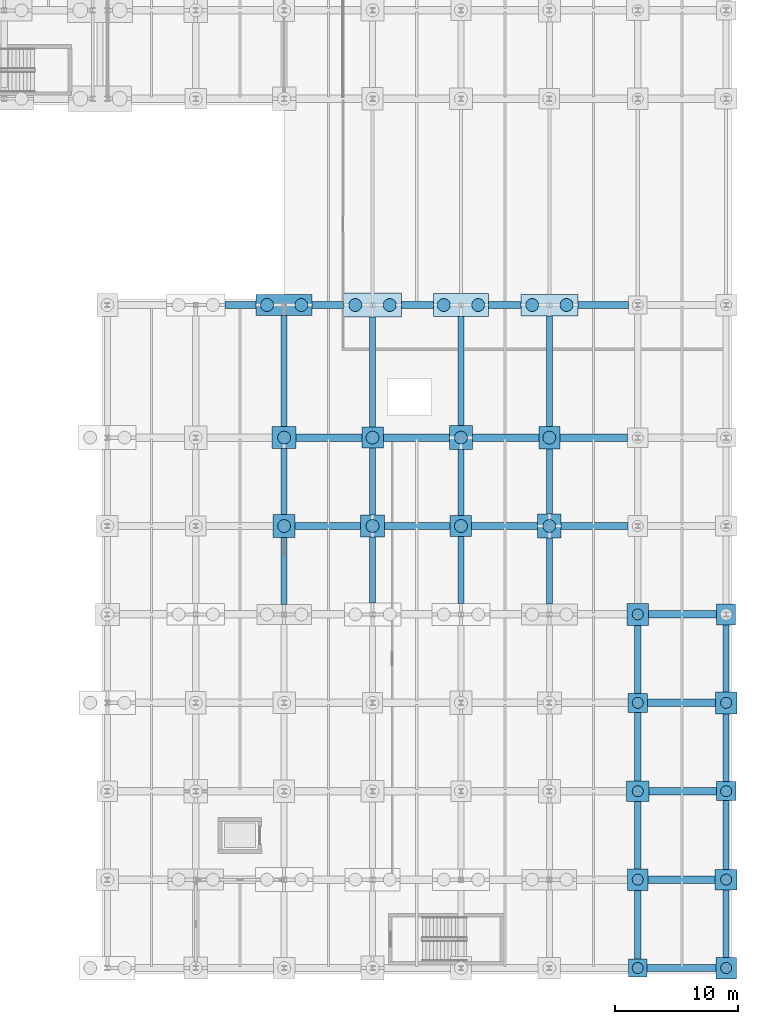
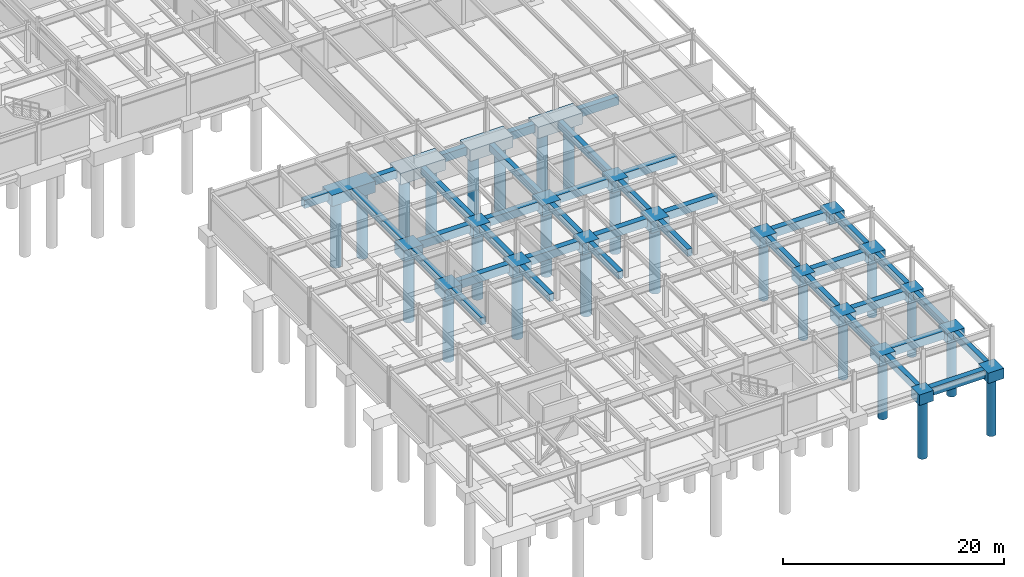
# One storey, part 10 of 54: 60 footings, 25 piles.
"""IFC4 building model written with IfcOpenShell, lengths in metres."""

from ifc_helpers import new_model, si_unit, direction, frame, origin, origin_2d, place, context, subcontext, project, spatial, polyline, rectangle, circle, outline, extrude, material, material_profile, profile_set, type_object, element, save


model = new_model("IFC4")

# Units and contexts
model_context = context("Model", 3, precision=1e-05, world=origin(), true_north=direction((0.0, 1.0)))
body_context = subcontext(model_context, "Body", "Model", "MODEL_VIEW")
ifc_project = project(units=[si_unit("LENGTHUNIT", "METRE"), si_unit("AREAUNIT", "SQUARE_METRE"), si_unit("VOLUMEUNIT", "CUBIC_METRE"), si_unit("PLANEANGLEUNIT", "RADIAN"), si_unit("MASSUNIT", "GRAM", prefix="KILO")], contexts=[model_context])

# Site, building, storey
site_placement = place(None, origin())
site = spatial("IfcSite", under=ifc_project, at=site_placement, CompositionType="ELEMENT")
building_placement = place(site_placement, origin())
building = spatial("IfcBuilding", under=site, at=building_placement, Name="Vaelcorin Mobility Hub", CompositionType="ELEMENT")
storey_placement = place(building_placement, frame((0.0, 0.0, -4.5)))
storey = spatial("IfcBuildingStorey", under=building, at=storey_placement, Name="B1", CompositionType="ELEMENT", Elevation=-4.5)

# Footings
ifc_material = material(Name="Concrete f'c 40 MPa", Category="concrete")
footing_type_1 = type_object("IfcFootingType", Name="FB-500X800", PredefinedType="FOOTING_BEAM", material=ifc_material)
footing_1_placement = place(storey_placement, frame((0.0, 0.0, -0.800048828125)))
element("IfcFooting", 1, at=footing_1_placement, inside=storey, type_object=footing_type_1, Name="Foundation Tie Beam FB-Y-399", PredefinedType="FOOTING_BEAM", context=body_context, shape_type="SweptSolid", body=[
    extrude(outline(polyline([(167.75, 35.625), (168.25, 35.625), (168.25, 41.050048828125), (167.75, 41.050048828125), (167.75, 35.625)])), origin(), (0.0, 0.0, 1.0), 0.800048828125),
])
footing_2_placement = place(storey_placement, frame((0.0, 0.0, -0.800048828125)))
element("IfcFooting", 2, at=footing_2_placement, inside=storey, type_object=footing_type_1, Name="Foundation Tie Beam FB-Y-400", PredefinedType="FOOTING_BEAM", context=body_context, shape_type="SweptSolid", body=[
    extrude(outline(polyline([(167.75, 42.949951171875), (168.25, 42.949951171875), (168.25, 48.300048828125), (167.75, 48.300048828125), (167.75, 42.949951171875)])), origin(), (0.0, 0.0, 1.0), 0.800048828125),
])
footing_3_placement = place(storey_placement, frame((0.0, 0.0, -0.800048828125)))
element("IfcFooting", 3, at=footing_3_placement, inside=storey, type_object=footing_type_1, Name="Foundation Tie Beam FB-Y-401", PredefinedType="FOOTING_BEAM", context=body_context, shape_type="SweptSolid", body=[
    extrude(outline(polyline([(167.75, 50.10009765625), (168.25, 50.10009765625), (168.25, 59.14990234375), (167.75, 59.14990234375), (167.75, 50.10009765625)])), origin(), (0.0, 0.0, 1.0), 0.800048828125),
])
footing_4_placement = place(storey_placement, frame((0.0, 0.0, -0.800048828125)))
element("IfcFooting", 4, at=footing_4_placement, inside=storey, type_object=footing_type_1, Name="Foundation Tie Beam FB-Y-412", PredefinedType="FOOTING_BEAM", context=body_context, shape_type="SweptSolid", body=[
    extrude(outline(polyline([(174.949951171875, 35.75), (175.449951171875, 35.75), (175.449951171875, 41.10009765625), (174.949951171875, 41.10009765625), (174.949951171875, 35.75)])), origin(), (0.0, 0.0, 1.0), 0.800048828125),
])
footing_5_placement = place(storey_placement, frame((0.0, 0.0, -0.800048828125)))
element("IfcFooting", 5, at=footing_5_placement, inside=storey, type_object=footing_type_1, Name="Foundation Tie Beam FB-Y-413", PredefinedType="FOOTING_BEAM", context=body_context, shape_type="SweptSolid", body=[
    extrude(outline(polyline([(174.949951171875, 42.89990234375), (175.449951171875, 42.89990234375), (175.449951171875, 48.35009765625), (174.949951171875, 48.35009765625), (174.949951171875, 42.89990234375)])), origin(), (0.0, 0.0, 1.0), 0.800048828125),
])
footing_6_placement = place(storey_placement, frame((0.0, 0.0, -0.800048828125)))
element("IfcFooting", 6, at=footing_6_placement, inside=storey, type_object=footing_type_1, Name="Foundation Tie Beam FB-Y-414", PredefinedType="FOOTING_BEAM", context=body_context, shape_type="SweptSolid", body=[
    extrude(outline(polyline([(174.949951171875, 50.050048828125), (175.449951171875, 50.050048828125), (175.449951171875, 59.02490234375), (174.949951171875, 59.02490234375), (174.949951171875, 50.050048828125)])), origin(), (0.0, 0.0, 1.0), 0.800048828125),
])
footing_7_placement = place(storey_placement, frame((0.0, 0.0, -0.800048828125)))
element("IfcFooting", 7, at=footing_7_placement, inside=storey, type_object=footing_type_1, Name="Foundation Tie Beam FB-Y-425", PredefinedType="FOOTING_BEAM", context=body_context, shape_type="SweptSolid", body=[
    extrude(outline(polyline([(182.14990234375, 35.699951171875), (182.64990234375, 35.699951171875), (182.64990234375, 41.14990234375), (182.14990234375, 41.14990234375), (182.14990234375, 35.699951171875)])), origin(), (0.0, 0.0, 1.0), 0.800048828125),
])
footing_8_placement = place(storey_placement, frame((0.0, 0.0, -0.800048828125)))
element("IfcFooting", 8, at=footing_8_placement, inside=storey, type_object=footing_type_1, Name="Foundation Tie Beam FB-Y-426", PredefinedType="FOOTING_BEAM", context=body_context, shape_type="SweptSolid", body=[
    extrude(outline(polyline([(182.14990234375, 42.85009765625), (182.64990234375, 42.85009765625), (182.64990234375, 48.22509765625), (182.14990234375, 48.22509765625), (182.14990234375, 42.85009765625)])), origin(), (0.0, 0.0, 1.0), 0.800048828125),
])
footing_9_placement = place(storey_placement, frame((0.0, 0.0, -0.800048828125)))
element("IfcFooting", 9, at=footing_9_placement, inside=storey, type_object=footing_type_1, Name="Foundation Tie Beam FB-Y-427", PredefinedType="FOOTING_BEAM", context=body_context, shape_type="SweptSolid", body=[
    extrude(outline(polyline([(182.14990234375, 50.175048828125), (182.64990234375, 50.175048828125), (182.64990234375, 59.074951171875), (182.14990234375, 59.074951171875), (182.14990234375, 50.175048828125)])), origin(), (0.0, 0.0, 1.0), 0.800048828125),
])
footing_10_placement = place(storey_placement, frame((0.0, 0.0, -0.800048828125)))
element("IfcFooting", 10, at=footing_10_placement, inside=storey, type_object=footing_type_1, Name="Foundation Tie Beam FB-Y-438", PredefinedType="FOOTING_BEAM", context=body_context, shape_type="SweptSolid", body=[
    extrude(outline(polyline([(189.35009765625, 35.64990234375), (189.85009765625, 35.64990234375), (189.85009765625, 41.02490234375), (189.35009765625, 41.02490234375), (189.35009765625, 35.64990234375)])), origin(), (0.0, 0.0, 1.0), 0.800048828125),
])
footing_11_placement = place(storey_placement, frame((0.0, 0.0, -0.800048828125)))
element("IfcFooting", 11, at=footing_11_placement, inside=storey, type_object=footing_type_1, Name="Foundation Tie Beam FB-Y-439", PredefinedType="FOOTING_BEAM", context=body_context, shape_type="SweptSolid", body=[
    extrude(outline(polyline([(189.35009765625, 42.97509765625), (189.85009765625, 42.97509765625), (189.85009765625, 48.27490234375), (189.35009765625, 48.27490234375), (189.35009765625, 42.97509765625)])), origin(), (0.0, 0.0, 1.0), 0.800048828125),
])
footing_12_placement = place(storey_placement, frame((0.0, 0.0, -0.800048828125)))
element("IfcFooting", 12, at=footing_12_placement, inside=storey, type_object=footing_type_1, Name="Foundation Tie Beam FB-Y-440", PredefinedType="FOOTING_BEAM", context=body_context, shape_type="SweptSolid", body=[
    extrude(outline(polyline([(189.35009765625, 50.125), (189.85009765625, 50.125), (189.85009765625, 59.125), (189.35009765625, 59.125), (189.35009765625, 50.125)])), origin(), (0.0, 0.0, 1.0), 0.800048828125),
])
footing_13_placement = place(storey_placement, frame((0.0, 0.0, -0.800048828125)))
element("IfcFooting", 13, at=footing_13_placement, inside=storey, type_object=footing_type_1, Name="Foundation Tie Beam FB-Y-447", PredefinedType="FOOTING_BEAM", context=body_context, shape_type="SweptSolid", body=[
    extrude(outline(polyline([(196.550048828125, 6.75), (197.050048828125, 6.75), (197.050048828125, 12.324951171875), (196.550048828125, 12.324951171875), (196.550048828125, 6.75)])), origin(), (0.0, 0.0, 1.0), 0.800048828125),
])
footing_14_placement = place(storey_placement, frame((0.0, 0.0, -0.800048828125)))
element("IfcFooting", 14, at=footing_14_placement, inside=storey, type_object=footing_type_1, Name="Foundation Tie Beam FB-Y-448", PredefinedType="FOOTING_BEAM", context=body_context, shape_type="SweptSolid", body=[
    extrude(outline(polyline([(196.550048828125, 14.074951171875), (197.050048828125, 14.074951171875), (197.050048828125, 19.574951171875), (196.550048828125, 19.574951171875), (196.550048828125, 14.074951171875)])), origin(), (0.0, 0.0, 1.0), 0.800048828125),
])
footing_15_placement = place(storey_placement, frame((0.0, 0.0, -0.800048828125)))
element("IfcFooting", 15, at=footing_15_placement, inside=storey, type_object=footing_type_1, Name="Foundation Tie Beam FB-Y-449", PredefinedType="FOOTING_BEAM", context=body_context, shape_type="SweptSolid", body=[
    extrude(outline(polyline([(196.550048828125, 21.22509765625), (197.050048828125, 21.22509765625), (197.050048828125, 26.824951171875), (196.550048828125, 26.824951171875), (196.550048828125, 21.22509765625)])), origin(), (0.0, 0.0, 1.0), 0.800048828125),
])
footing_16_placement = place(storey_placement, frame((0.0, 0.0, -0.800048828125)))
element("IfcFooting", 16, at=footing_16_placement, inside=storey, type_object=footing_type_1, Name="Foundation Tie Beam FB-Y-450", PredefinedType="FOOTING_BEAM", context=body_context, shape_type="SweptSolid", body=[
    extrude(outline(polyline([(196.550048828125, 28.375), (197.050048828125, 28.375), (197.050048828125, 33.89990234375), (196.550048828125, 33.89990234375), (196.550048828125, 28.375)])), origin(), (0.0, 0.0, 1.0), 0.800048828125),
])
footing_17_placement = place(storey_placement, frame((0.0, 0.0, -0.800048828125)))
element("IfcFooting", 17, at=footing_17_placement, inside=storey, type_object=footing_type_1, Name="Foundation Tie Beam FB-Y-460", PredefinedType="FOOTING_BEAM", context=body_context, shape_type="SweptSolid", body=[
    extrude(outline(polyline([(203.75, 6.875), (204.25, 6.875), (204.25, 12.375), (203.75, 12.375), (203.75, 6.875)])), origin(), (0.0, 0.0, 1.0), 0.800048828125),
])
footing_18_placement = place(storey_placement, frame((0.0, 0.0, -0.800048828125)))
element("IfcFooting", 18, at=footing_18_placement, inside=storey, type_object=footing_type_1, Name="Foundation Tie Beam FB-Y-461", PredefinedType="FOOTING_BEAM", context=body_context, shape_type="SweptSolid", body=[
    extrude(outline(polyline([(203.75, 14.02490234375), (204.25, 14.02490234375), (204.25, 19.625), (203.75, 19.625), (203.75, 14.02490234375)])), origin(), (0.0, 0.0, 1.0), 0.800048828125),
])
footing_19_placement = place(storey_placement, frame((0.0, 0.0, -0.800048828125)))
element("IfcFooting", 19, at=footing_19_placement, inside=storey, type_object=footing_type_1, Name="Foundation Tie Beam FB-Y-462", PredefinedType="FOOTING_BEAM", context=body_context, shape_type="SweptSolid", body=[
    extrude(outline(polyline([(203.75, 21.175048828125), (204.25, 21.175048828125), (204.25, 26.699951171875), (203.75, 26.699951171875), (203.75, 21.175048828125)])), origin(), (0.0, 0.0, 1.0), 0.800048828125),
])
footing_20_placement = place(storey_placement, frame((0.0, 0.0, -0.800048828125)))
element("IfcFooting", 20, at=footing_20_placement, inside=storey, type_object=footing_type_1, Name="Foundation Tie Beam FB-Y-463", PredefinedType="FOOTING_BEAM", context=body_context, shape_type="SweptSolid", body=[
    extrude(outline(polyline([(203.75, 28.5), (204.25, 28.5), (204.25, 33.949951171875), (203.75, 33.949951171875), (203.75, 28.5)])), origin(), (0.0, 0.0, 1.0), 0.800048828125),
])
footing_type_2 = type_object("IfcFootingType", Name="FB-600X900", PredefinedType="FOOTING_BEAM", material=ifc_material)
footing_21_placement = place(storey_placement, frame((0.0, 0.0, -0.89990234375)))
element("IfcFooting", 21, at=footing_21_placement, inside=storey, type_object=footing_type_2, Name="Foundation Tie Beam FB-X-180", PredefinedType="FOOTING_BEAM", context=body_context, shape_type="SweptSolid", body=[
    extrude(outline(polyline([(197.550048828125, 5.699951171875), (203.175048828125, 5.699951171875), (203.175048828125, 6.300048828125), (197.550048828125, 6.300048828125), (197.550048828125, 5.699951171875)])), origin(), (0.0, 0.0, 1.0), 0.89990234375),
])
footing_22_placement = place(storey_placement, frame((0.0, 0.0, -0.89990234375)))
element("IfcFooting", 22, at=footing_22_placement, inside=storey, type_object=footing_type_2, Name="Foundation Tie Beam FB-X-202", PredefinedType="FOOTING_BEAM", context=body_context, shape_type="SweptSolid", body=[
    extrude(outline(polyline([(163.175048828125, 59.699951171875), (165.72509765625, 59.699951171875), (165.72509765625, 60.300048828125), (163.175048828125, 60.300048828125), (163.175048828125, 59.699951171875)])), origin(), (0.0, 0.0, 1.0), 0.89990234375),
])
footing_23_placement = place(storey_placement, frame((0.0, 0.0, -0.89990234375)))
element("IfcFooting", 23, at=footing_23_placement, inside=storey, type_object=footing_type_2, Name="Foundation Tie Beam FB-X-203", PredefinedType="FOOTING_BEAM", context=body_context, shape_type="SweptSolid", body=[
    extrude(outline(polyline([(170.27490234375, 59.699951171875), (172.85009765625, 59.699951171875), (172.85009765625, 60.300048828125), (170.27490234375, 60.300048828125), (170.27490234375, 59.699951171875)])), origin(), (0.0, 0.0, 1.0), 0.89990234375),
])
footing_24_placement = place(storey_placement, frame((0.0, 0.0, -0.89990234375)))
element("IfcFooting", 24, at=footing_24_placement, inside=storey, type_object=footing_type_2, Name="Foundation Tie Beam FB-X-204", PredefinedType="FOOTING_BEAM", context=body_context, shape_type="SweptSolid", body=[
    extrude(outline(polyline([(177.550048828125, 59.699951171875), (180.14990234375, 59.699951171875), (180.14990234375, 60.300048828125), (177.550048828125, 60.300048828125), (177.550048828125, 59.699951171875)])), origin(), (0.0, 0.0, 1.0), 0.89990234375),
])
footing_25_placement = place(storey_placement, frame((0.0, 0.0, -0.89990234375)))
element("IfcFooting", 25, at=footing_25_placement, inside=storey, type_object=footing_type_2, Name="Foundation Tie Beam FB-X-205", PredefinedType="FOOTING_BEAM", context=body_context, shape_type="SweptSolid", body=[
    extrude(outline(polyline([(184.64990234375, 59.699951171875), (187.27490234375, 59.699951171875), (187.27490234375, 60.300048828125), (184.64990234375, 60.300048828125), (184.64990234375, 59.699951171875)])), origin(), (0.0, 0.0, 1.0), 0.89990234375),
])
footing_26_placement = place(storey_placement, frame((0.0, 0.0, -0.89990234375)))
element("IfcFooting", 26, at=footing_26_placement, inside=storey, type_object=footing_type_2, Name="Foundation Tie Beam FB-X-206", PredefinedType="FOOTING_BEAM", context=body_context, shape_type="SweptSolid", body=[
    extrude(outline(polyline([(191.925048828125, 59.699951171875), (196.050048828125, 59.699951171875), (196.050048828125, 60.300048828125), (191.925048828125, 60.300048828125), (191.925048828125, 59.699951171875)])), origin(), (0.0, 0.0, 1.0), 0.89990234375),
])
footing_27_placement = place(storey_placement, frame((0.0, 0.0, -0.89990234375)))
element("IfcFooting", 27, at=footing_27_placement, inside=storey, type_object=footing_type_2, Name="Foundation Tie Beam FB-X-214", PredefinedType="FOOTING_BEAM", context=body_context, shape_type="SweptSolid", body=[
    extrude(outline(polyline([(197.625, 12.89990234375), (203.10009765625, 12.89990234375), (203.10009765625, 13.5), (197.625, 13.5), (197.625, 12.89990234375)])), origin(), (0.0, 0.0, 1.0), 0.89990234375),
])
footing_28_placement = place(storey_placement, frame((0.0, 0.0, -0.89990234375)))
element("IfcFooting", 28, at=footing_28_placement, inside=storey, type_object=footing_type_2, Name="Foundation Tie Beam FB-X-221", PredefinedType="FOOTING_BEAM", context=body_context, shape_type="SweptSolid", body=[
    extrude(outline(polyline([(197.699951171875, 20.10009765625), (203.199951171875, 20.10009765625), (203.199951171875, 20.699951171875), (197.699951171875, 20.699951171875), (197.699951171875, 20.10009765625)])), origin(), (0.0, 0.0, 1.0), 0.89990234375),
])
footing_29_placement = place(storey_placement, frame((0.0, 0.0, -0.89990234375)))
element("IfcFooting", 29, at=footing_29_placement, inside=storey, type_object=footing_type_2, Name="Foundation Tie Beam FB-X-228", PredefinedType="FOOTING_BEAM", context=body_context, shape_type="SweptSolid", body=[
    extrude(outline(polyline([(197.60009765625, 27.300048828125), (203.125, 27.300048828125), (203.125, 27.89990234375), (197.60009765625, 27.89990234375), (197.60009765625, 27.300048828125)])), origin(), (0.0, 0.0, 1.0), 0.89990234375),
])
footing_30_placement = place(storey_placement, frame((0.0, 0.0, -0.89990234375)))
element("IfcFooting", 30, at=footing_30_placement, inside=storey, type_object=footing_type_2, Name="Foundation Tie Beam FB-X-235", PredefinedType="FOOTING_BEAM", context=body_context, shape_type="SweptSolid", body=[
    extrude(outline(polyline([(197.675048828125, 34.5), (203.22509765625, 34.5), (203.22509765625, 35.10009765625), (197.675048828125, 35.10009765625), (197.675048828125, 34.5)])), origin(), (0.0, 0.0, 1.0), 0.89990234375),
])
footing_31_placement = place(storey_placement, frame((0.0, 0.0, -0.89990234375)))
element("IfcFooting", 31, at=footing_31_placement, inside=storey, type_object=footing_type_2, Name="Foundation Tie Beam FB-X-238", PredefinedType="FOOTING_BEAM", context=body_context, shape_type="SweptSolid", body=[
    extrude(outline(polyline([(168.89990234375, 41.699951171875), (174.22509765625, 41.699951171875), (174.22509765625, 42.300048828125), (168.89990234375, 42.300048828125), (168.89990234375, 41.699951171875)])), origin(), (0.0, 0.0, 1.0), 0.89990234375),
])
footing_32_placement = place(storey_placement, frame((0.0, 0.0, -0.89990234375)))
element("IfcFooting", 32, at=footing_32_placement, inside=storey, type_object=footing_type_2, Name="Foundation Tie Beam FB-X-239", PredefinedType="FOOTING_BEAM", context=body_context, shape_type="SweptSolid", body=[
    extrude(outline(polyline([(176.175048828125, 41.699951171875), (181.52490234375, 41.699951171875), (181.52490234375, 42.300048828125), (176.175048828125, 42.300048828125), (176.175048828125, 41.699951171875)])), origin(), (0.0, 0.0, 1.0), 0.89990234375),
])
footing_33_placement = place(storey_placement, frame((0.0, 0.0, -0.89990234375)))
element("IfcFooting", 33, at=footing_33_placement, inside=storey, type_object=footing_type_2, Name="Foundation Tie Beam FB-X-240", PredefinedType="FOOTING_BEAM", context=body_context, shape_type="SweptSolid", body=[
    extrude(outline(polyline([(183.27490234375, 41.699951171875), (188.64990234375, 41.699951171875), (188.64990234375, 42.300048828125), (183.27490234375, 42.300048828125), (183.27490234375, 41.699951171875)])), origin(), (0.0, 0.0, 1.0), 0.89990234375),
])
footing_34_placement = place(storey_placement, frame((0.0, 0.0, -0.89990234375)))
element("IfcFooting", 34, at=footing_34_placement, inside=storey, type_object=footing_type_2, Name="Foundation Tie Beam FB-X-241", PredefinedType="FOOTING_BEAM", context=body_context, shape_type="SweptSolid", body=[
    extrude(outline(polyline([(190.550048828125, 41.699951171875), (196.02490234375, 41.699951171875), (196.02490234375, 42.300048828125), (190.550048828125, 42.300048828125), (190.550048828125, 41.699951171875)])), origin(), (0.0, 0.0, 1.0), 0.89990234375),
])
footing_35_placement = place(storey_placement, frame((0.0, 0.0, -0.89990234375)))
element("IfcFooting", 35, at=footing_35_placement, inside=storey, type_object=footing_type_2, Name="Foundation Tie Beam FB-X-245", PredefinedType="FOOTING_BEAM", context=body_context, shape_type="SweptSolid", body=[
    extrude(outline(polyline([(168.97509765625, 48.89990234375), (174.324951171875, 48.89990234375), (174.324951171875, 49.5), (168.97509765625, 49.5), (168.97509765625, 48.89990234375)])), origin(), (0.0, 0.0, 1.0), 0.89990234375),
])
footing_36_placement = place(storey_placement, frame((0.0, 0.0, -0.89990234375)))
element("IfcFooting", 36, at=footing_36_placement, inside=storey, type_object=footing_type_2, Name="Foundation Tie Beam FB-X-246", PredefinedType="FOOTING_BEAM", context=body_context, shape_type="SweptSolid", body=[
    extrude(outline(polyline([(176.074951171875, 48.89990234375), (181.449951171875, 48.89990234375), (181.449951171875, 49.5), (176.074951171875, 49.5), (176.074951171875, 48.89990234375)])), origin(), (0.0, 0.0, 1.0), 0.89990234375),
])
footing_37_placement = place(storey_placement, frame((0.0, 0.0, -0.89990234375)))
element("IfcFooting", 37, at=footing_37_placement, inside=storey, type_object=footing_type_2, Name="Foundation Tie Beam FB-X-247", PredefinedType="FOOTING_BEAM", context=body_context, shape_type="SweptSolid", body=[
    extrude(outline(polyline([(183.35009765625, 48.89990234375), (188.75, 48.89990234375), (188.75, 49.5), (183.35009765625, 49.5), (183.35009765625, 48.89990234375)])), origin(), (0.0, 0.0, 1.0), 0.89990234375),
])
footing_38_placement = place(storey_placement, frame((0.0, 0.0, -0.89990234375)))
element("IfcFooting", 38, at=footing_38_placement, inside=storey, type_object=footing_type_2, Name="Foundation Tie Beam FB-X-248", PredefinedType="FOOTING_BEAM", context=body_context, shape_type="SweptSolid", body=[
    extrude(outline(polyline([(190.449951171875, 48.89990234375), (195.949951171875, 48.89990234375), (195.949951171875, 49.5), (190.449951171875, 49.5), (190.449951171875, 48.89990234375)])), origin(), (0.0, 0.0, 1.0), 0.89990234375),
])
footing_type_3 = type_object("IfcFootingType", Name="FTG-PC-15", PredefinedType="PILE_CAP", material=ifc_material)
for number, where, z_axis, x_axis, name in (
    (39, (196.800048828125, 34.800048828125, -1.14990234375), (0.0, 0.0, 1.0), (1.0, 0.0, 0.0), "Pile Cap PC-15 249"),
    (40, (204.0, 27.60009765625, -1.14990234375), (0.0, 0.0, 1.0), (1.0, 0.0, 0.0), "Pile Cap PC-15 263"),
):
    element("IfcFooting", number, at=place(storey_placement, frame(where, z_axis=z_axis, x_axis=x_axis)), inside=storey, type_object=footing_type_3, Name=name, PredefinedType="PILE_CAP", context=body_context, shape_type="SweptSolid", body=[
        extrude(rectangle(XDim=1.75, YDim=1.800048828125, at=origin_2d()), origin(), (0.0, 0.0, 1.0), 1.14990234375),
    ])
footing_type_4 = type_object("IfcFootingType", Name="FTG-PC-16", PredefinedType="PILE_CAP", material=ifc_material)
footing_39_placement = place(storey_placement, frame((204.0, 34.800048828125, -1.14990234375), z_axis=(0.0, 0.0, 1.0), x_axis=(1.0, 0.0, 0.0)))
element("IfcFooting", 41, at=footing_39_placement, inside=storey, type_object=footing_type_4, Name="Pile Cap PC-16 264", PredefinedType="PILE_CAP", context=body_context, shape_type="SweptSolid", body=[
    extrude(rectangle(XDim=1.550048828125, YDim=1.699951171875, at=origin_2d()), origin(), (0.0, 0.0, 1.0), 1.14990234375),
])
footing_type_5 = type_object("IfcFootingType", Name="FTG-PC-18", PredefinedType="PILE_CAP", material=ifc_material)
footing_40_placement = place(storey_placement, frame((196.800048828125, 6.0, -1.14990234375), z_axis=(0.0, 0.0, 1.0), x_axis=(1.0, 0.0, 0.0)))
element("IfcFooting", 42, at=footing_40_placement, inside=storey, type_object=footing_type_5, Name="Pile Cap PC-18 245", PredefinedType="PILE_CAP", context=body_context, shape_type="SweptSolid", body=[
    extrude(rectangle(XDim=1.5, YDim=1.5, at=origin_2d()), origin(), (0.0, 0.0, 1.0), 1.14990234375),
])
footing_type_6 = type_object("IfcFootingType", Name="FTG-PC-19", PredefinedType="PILE_CAP", material=ifc_material)
for number, where, z_axis, x_axis, name in (
    (43, (196.800048828125, 13.199951171875, -1.14990234375), (0.0, 0.0, 1.0), (1.0, 0.0, 0.0), "Pile Cap PC-19 246"),
    (44, (204.0, 6.0, -1.14990234375), (0.0, 0.0, 1.0), (1.0, 0.0, 0.0), "Pile Cap PC-19 260"),
):
    element("IfcFooting", number, at=place(storey_placement, frame(where, z_axis=z_axis, x_axis=x_axis)), inside=storey, type_object=footing_type_6, Name=name, PredefinedType="PILE_CAP", context=body_context, shape_type="SweptSolid", body=[
        extrude(rectangle(XDim=1.64990234375, YDim=1.75, at=origin_2d()), origin(), (0.0, 0.0, 1.0), 1.14990234375),
    ])
footing_type_7 = type_object("IfcFootingType", Name="FTG-PC-20", PredefinedType="PILE_CAP", material=ifc_material)
for number, where, z_axis, x_axis, name in (
    (45, (196.800048828125, 20.39990234375, -1.14990234375), (0.0, 0.0, 1.0), (1.0, 0.0, 0.0), "Pile Cap PC-20 247"),
    (46, (204.0, 13.199951171875, -1.14990234375), (0.0, 0.0, 1.0), (1.0, 0.0, 0.0), "Pile Cap PC-20 261"),
):
    element("IfcFooting", number, at=place(storey_placement, frame(where, z_axis=z_axis, x_axis=x_axis)), inside=storey, type_object=footing_type_7, Name=name, PredefinedType="PILE_CAP", context=body_context, shape_type="SweptSolid", body=[
        extrude(rectangle(XDim=1.800048828125, YDim=1.64990234375, at=origin_2d()), origin(), (0.0, 0.0, 1.0), 1.14990234375),
    ])
footing_type_8 = type_object("IfcFootingType", Name="FTG-PC-21", PredefinedType="PILE_CAP", material=ifc_material)
for number, where, z_axis, x_axis, name in (
    (47, (175.199951171875, 49.199951171875, -1.25), (0.0, 0.0, 1.0), (1.0, 0.0, 0.0), "Pile Cap PC-21 206"),
    (48, (182.39990234375, 42.0, -1.25), (0.0, 0.0, 1.0), (1.0, 0.0, 0.0), "Pile Cap PC-21 220"),
):
    element("IfcFooting", number, at=place(storey_placement, frame(where, z_axis=z_axis, x_axis=x_axis)), inside=storey, type_object=footing_type_8, Name=name, PredefinedType="PILE_CAP", context=body_context, shape_type="SweptSolid", body=[
        extrude(rectangle(XDim=1.75, YDim=1.699951171875, at=origin_2d()), origin(), (0.0, 0.0, 1.0), 1.25),
    ])
footing_type_9 = type_object("IfcFootingType", Name="FTG-PC-22", PredefinedType="PILE_CAP", material=ifc_material)
for number, where, z_axis, x_axis, name in (
    (49, (196.800048828125, 27.60009765625, -1.14990234375), (0.0, 0.0, 1.0), (1.0, 0.0, 0.0), "Pile Cap PC-22 248"),
    (50, (204.0, 20.39990234375, -1.14990234375), (0.0, 0.0, 1.0), (1.0, 0.0, 0.0), "Pile Cap PC-22 262"),
):
    element("IfcFooting", number, at=place(storey_placement, frame(where, z_axis=z_axis, x_axis=x_axis)), inside=storey, type_object=footing_type_9, Name=name, PredefinedType="PILE_CAP", context=body_context, shape_type="SweptSolid", body=[
        extrude(rectangle(XDim=1.60009765625, YDim=1.550048828125, at=origin_2d()), origin(), (0.0, 0.0, 1.0), 1.14990234375),
    ])
footing_type_10 = type_object("IfcFootingType", Name="FTG-PC-25", PredefinedType="PILE_CAP", material=ifc_material)
footing_41_placement = place(storey_placement, frame((189.60009765625, 49.199951171875, -1.25), z_axis=(0.0, 0.0, 1.0), x_axis=(1.0, 0.0, 0.0)))
element("IfcFooting", 51, at=footing_41_placement, inside=storey, type_object=footing_type_10, Name="Pile Cap PC-25 236", PredefinedType="PILE_CAP", context=body_context, shape_type="SweptSolid", body=[
    extrude(rectangle(XDim=1.699951171875, YDim=1.85009765625, at=origin_2d()), origin(), (0.0, 0.0, 1.0), 1.25),
])
footing_type_11 = type_object("IfcFootingType", Name="FTG-PC-26", PredefinedType="PILE_CAP", material=ifc_material)
footing_42_placement = place(storey_placement, frame((168.0, 42.0, -1.25), z_axis=(0.0, 0.0, 1.0), x_axis=(1.0, 0.0, 0.0)))
element("IfcFooting", 52, at=footing_42_placement, inside=storey, type_object=footing_type_11, Name="Pile Cap PC-26 190", PredefinedType="PILE_CAP", context=body_context, shape_type="SweptSolid", body=[
    extrude(rectangle(XDim=1.800048828125, YDim=1.89990234375, at=origin_2d()), origin(), (0.0, 0.0, 1.0), 1.25),
])
footing_type_12 = type_object("IfcFootingType", Name="FTG-PC-27", PredefinedType="PILE_CAP", material=ifc_material)
footing_43_placement = place(storey_placement, frame((175.199951171875, 60.0, -1.25), z_axis=(0.0, 0.0, 1.0), x_axis=(1.0, 0.0, 0.0)))
element("IfcFooting", 53, at=footing_43_placement, inside=storey, type_object=footing_type_12, Name="Pile Cap PC-27 207", PredefinedType="PILE_CAP", context=body_context, shape_type="SweptSolid", body=[
    extrude(rectangle(XDim=4.699951171875, YDim=1.949951171875, at=origin_2d()), origin(), (0.0, 0.0, 1.0), 1.25),
])
footing_type_13 = type_object("IfcFootingType", Name="FTG-PC-29", PredefinedType="PILE_CAP", material=ifc_material)
footing_44_placement = place(storey_placement, frame((189.60009765625, 60.0, -1.25), z_axis=(0.0, 0.0, 1.0), x_axis=(1.0, 0.0, 0.0)))
element("IfcFooting", 54, at=footing_44_placement, inside=storey, type_object=footing_type_13, Name="Pile Cap PC-29 237", PredefinedType="PILE_CAP", context=body_context, shape_type="SweptSolid", body=[
    extrude(rectangle(XDim=4.64990234375, YDim=1.75, at=origin_2d()), origin(), (0.0, 0.0, 1.0), 1.25),
])
footing_type_14 = type_object("IfcFootingType", Name="FTG-PC-30", PredefinedType="PILE_CAP", material=ifc_material)
for number, where, z_axis, x_axis, name in (
    (55, (168.0, 49.199951171875, -1.25), (0.0, 0.0, 1.0), (1.0, 0.0, 0.0), "Pile Cap PC-30 191"),
    (56, (175.199951171875, 42.0, -1.25), (0.0, 0.0, 1.0), (1.0, 0.0, 0.0), "Pile Cap PC-30 205"),
):
    element("IfcFooting", number, at=place(storey_placement, frame(where, z_axis=z_axis, x_axis=x_axis)), inside=storey, type_object=footing_type_14, Name=name, PredefinedType="PILE_CAP", context=body_context, shape_type="SweptSolid", body=[
        extrude(rectangle(XDim=1.949951171875, YDim=1.800048828125, at=origin_2d()), origin(), (0.0, 0.0, 1.0), 1.25),
    ])
footing_type_15 = type_object("IfcFootingType", Name="FTG-PC-31", PredefinedType="PILE_CAP", material=ifc_material)
footing_45_placement = place(storey_placement, frame((182.39990234375, 60.0, -1.25), z_axis=(0.0, 0.0, 1.0), x_axis=(1.0, 0.0, 0.0)))
element("IfcFooting", 57, at=footing_45_placement, inside=storey, type_object=footing_type_15, Name="Pile Cap PC-31 222", PredefinedType="PILE_CAP", context=body_context, shape_type="SweptSolid", body=[
    extrude(rectangle(XDim=4.5, YDim=1.85009765625, at=origin_2d()), origin(), (0.0, 0.0, 1.0), 1.25),
])
footing_type_16 = type_object("IfcFootingType", Name="FTG-PC-34", PredefinedType="PILE_CAP", material=ifc_material)
footing_46_placement = place(storey_placement, frame((168.0, 60.0, -1.25), z_axis=(0.0, 0.0, 1.0), x_axis=(1.0, 0.0, 0.0)))
element("IfcFooting", 58, at=footing_46_placement, inside=storey, type_object=footing_type_16, Name="Pile Cap PC-34 192", PredefinedType="PILE_CAP", context=body_context, shape_type="SweptSolid", body=[
    extrude(rectangle(XDim=4.550048828125, YDim=1.699951171875, at=origin_2d()), origin(), (0.0, 0.0, 1.0), 1.25),
])
footing_type_17 = type_object("IfcFootingType", Name="FTG-PC-35", PredefinedType="PILE_CAP", material=ifc_material)
for number, where, z_axis, x_axis, name in (
    (59, (182.39990234375, 49.199951171875, -1.25), (0.0, 0.0, 1.0), (1.0, 0.0, 0.0), "Pile Cap PC-35 221"),
    (60, (189.60009765625, 42.0, -1.25), (0.0, 0.0, 1.0), (1.0, 0.0, 0.0), "Pile Cap PC-35 235"),
):
    element("IfcFooting", number, at=place(storey_placement, frame(where, z_axis=z_axis, x_axis=x_axis)), inside=storey, type_object=footing_type_17, Name=name, PredefinedType="PILE_CAP", context=body_context, shape_type="SweptSolid", body=[
        extrude(rectangle(XDim=1.89990234375, YDim=1.949951171875, at=origin_2d()), origin(), (0.0, 0.0, 1.0), 1.25),
    ])

# Piles
ifc_material_profile_1 = material_profile(ifc_material, circle(Radius=0.52490234375, at=origin_2d()), Name="BP-D1050")
ifc_profile_set_1 = profile_set([ifc_material_profile_1], Name="Concrete f'c 40 MPa")
pile_type_1 = type_object("IfcPileType", Name="PILE-D1050", PredefinedType="BORED", material=ifc_profile_set_1)
for number, where, z_axis, x_axis, name in (
    (61, (168.0, 42.0, -1.14990234375), (0.0, 0.0, -1.0), (1.0, 0.0, 0.0), "Bored Pile CAP-190-P1"),
    (62, (168.0, 49.199951171875, -1.14990234375), (0.0, 0.0, -1.0), (1.0, 0.0, 0.0), "Bored Pile CAP-191-P1"),
    (63, (166.60009765625, 60.0, -1.14990234375), (0.0, 0.0, -1.0), (1.0, 0.0, 0.0), "Bored Pile CAP-192-P1"),
    (64, (169.39990234375, 60.0, -1.14990234375), (0.0, 0.0, -1.0), (1.0, 0.0, 0.0), "Bored Pile CAP-192-P2"),
    (65, (175.199951171875, 42.0, -1.14990234375), (0.0, 0.0, -1.0), (1.0, 0.0, 0.0), "Bored Pile CAP-205-P1"),
    (66, (175.199951171875, 49.199951171875, -1.14990234375), (0.0, 0.0, -1.0), (1.0, 0.0, 0.0), "Bored Pile CAP-206-P1"),
    (67, (173.800048828125, 60.0, -1.14990234375), (0.0, 0.0, -1.0), (1.0, 0.0, 0.0), "Bored Pile CAP-207-P1"),
    (68, (176.60009765625, 60.0, -1.14990234375), (0.0, 0.0, -1.0), (1.0, 0.0, 0.0), "Bored Pile CAP-207-P2"),
    (69, (182.39990234375, 42.0, -1.14990234375), (0.0, 0.0, -1.0), (1.0, 0.0, 0.0), "Bored Pile CAP-220-P1"),
    (70, (182.39990234375, 49.199951171875, -1.14990234375), (0.0, 0.0, -1.0), (1.0, 0.0, 0.0), "Bored Pile CAP-221-P1"),
    (71, (181.0, 60.0, -1.14990234375), (0.0, 0.0, -1.0), (1.0, 0.0, 0.0), "Bored Pile CAP-222-P1"),
    (72, (183.800048828125, 60.0, -1.14990234375), (0.0, 0.0, -1.0), (1.0, 0.0, 0.0), "Bored Pile CAP-222-P2"),
    (73, (189.60009765625, 42.0, -1.14990234375), (0.0, 0.0, -1.0), (1.0, 0.0, 0.0), "Bored Pile CAP-235-P1"),
    (74, (189.60009765625, 49.199951171875, -1.14990234375), (0.0, 0.0, -1.0), (1.0, 0.0, 0.0), "Bored Pile CAP-236-P1"),
    (75, (188.199951171875, 60.0, -1.14990234375), (0.0, 0.0, -1.0), (1.0, 0.0, 0.0), "Bored Pile CAP-237-P1"),
    (76, (191.0, 60.0, -1.14990234375), (0.0, 0.0, -1.0), (1.0, 0.0, 0.0), "Bored Pile CAP-237-P2"),
):
    element("IfcPile", number, at=place(storey_placement, frame(where, z_axis=z_axis, x_axis=x_axis)), inside=storey, type_object=pile_type_1, Name=name, PredefinedType="BORED", context=body_context, shape_type="SweptSolid", body=[
        extrude(circle(Radius=0.52490234375, at=origin_2d()), origin(), (0.0, 0.0, 1.0), 7.35009765625),
    ])
ifc_material_profile_2 = material_profile(ifc_material, circle(Radius=0.449951171875, at=origin_2d()), Name="BP-D900")
ifc_profile_set_2 = profile_set([ifc_material_profile_2], Name="Concrete f'c 40 MPa")
pile_type_2 = type_object("IfcPileType", Name="PILE-D900", PredefinedType="BORED", material=ifc_profile_set_2)
for number, where, z_axis, x_axis, name in (
    (77, (196.800048828125, 6.0, -1.050048828125), (0.0, 0.0, -1.0), (1.0, 0.0, 0.0), "Bored Pile CAP-245-P1"),
    (78, (196.800048828125, 13.199951171875, -1.050048828125), (0.0, 0.0, -1.0), (1.0, 0.0, 0.0), "Bored Pile CAP-246-P1"),
    (79, (196.800048828125, 20.39990234375, -1.050048828125), (0.0, 0.0, -1.0), (1.0, 0.0, 0.0), "Bored Pile CAP-247-P1"),
    (80, (196.800048828125, 27.60009765625, -1.050048828125), (0.0, 0.0, -1.0), (1.0, 0.0, 0.0), "Bored Pile CAP-248-P1"),
    (81, (196.800048828125, 34.800048828125, -1.050048828125), (0.0, 0.0, -1.0), (1.0, 0.0, 0.0), "Bored Pile CAP-249-P1"),
    (82, (204.0, 6.0, -1.050048828125), (0.0, 0.0, -1.0), (1.0, 0.0, 0.0), "Bored Pile CAP-260-P1"),
    (83, (204.0, 13.199951171875, -1.050048828125), (0.0, 0.0, -1.0), (1.0, 0.0, 0.0), "Bored Pile CAP-261-P1"),
    (84, (204.0, 20.39990234375, -1.050048828125), (0.0, 0.0, -1.0), (1.0, 0.0, 0.0), "Bored Pile CAP-262-P1"),
    (85, (204.0, 27.60009765625, -1.050048828125), (0.0, 0.0, -1.0), (1.0, 0.0, 0.0), "Bored Pile CAP-263-P1"),
):
    element("IfcPile", number, at=place(storey_placement, frame(where, z_axis=z_axis, x_axis=x_axis)), inside=storey, type_object=pile_type_2, Name=name, PredefinedType="BORED", context=body_context, shape_type="SweptSolid", body=[
        extrude(circle(Radius=0.449951171875, at=origin_2d()), origin(), (0.0, 0.0, 1.0), 6.449951171875),
    ])

save(model, "model.ifc")
